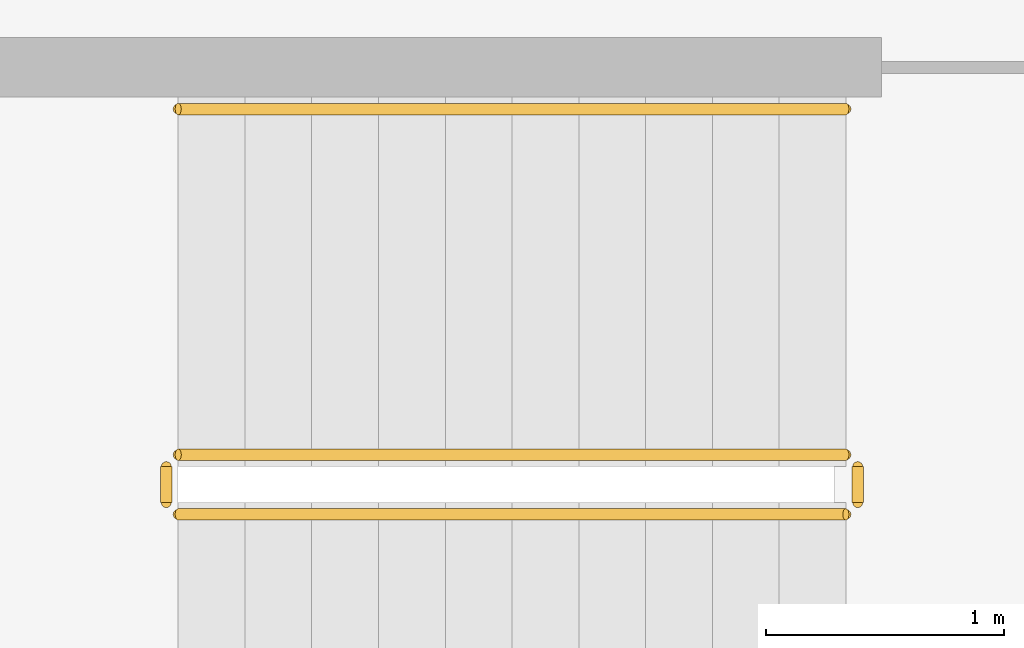
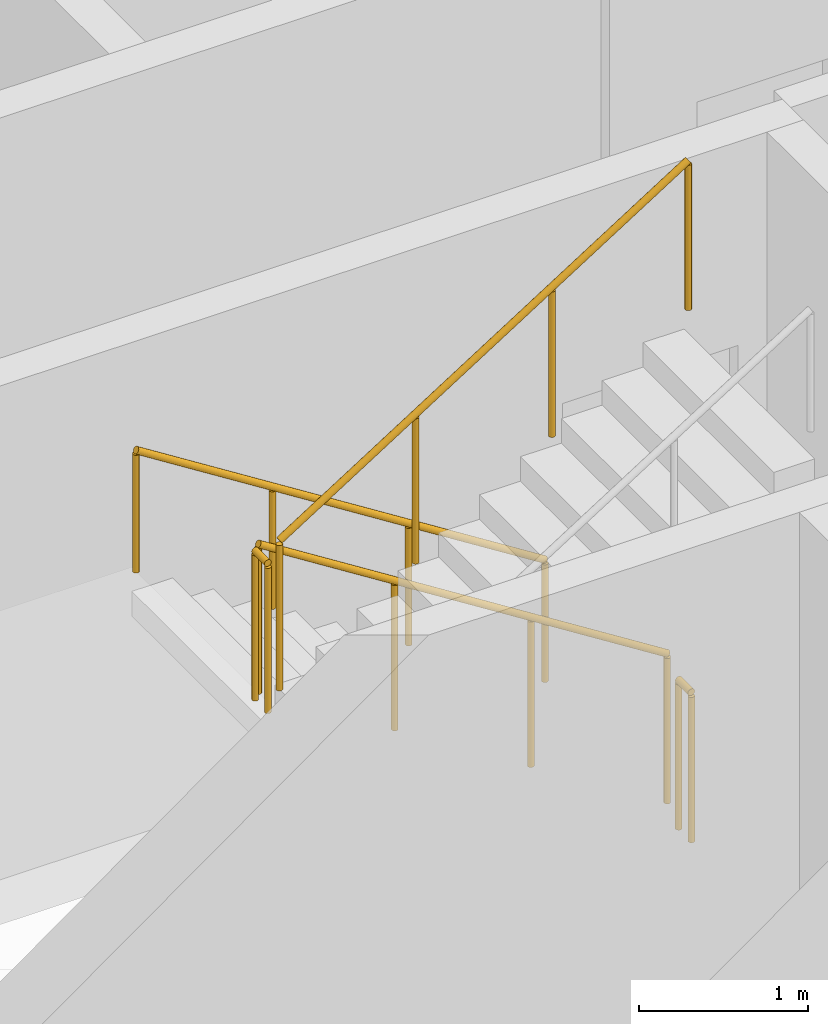
# One storey, part 18 of 24: 5 railings.
"""IFC4 building model written with IfcOpenShell, lengths in metres."""

from ifc_helpers import new_model, si_unit, direction, frame, origin, origin_2d, place, context, subcontext, project, spatial, circle, extrude, material, type_object, element, save


model = new_model("IFC4")

# Units and contexts
model_context = context("Model", 3, precision=1e-05, world=origin(), true_north=direction((0.0, 1.0)))
body_context = subcontext(model_context, "Body", "Model", "MODEL_VIEW")
ifc_project = project(units=[si_unit("LENGTHUNIT", "METRE"), si_unit("AREAUNIT", "SQUARE_METRE"), si_unit("VOLUMEUNIT", "CUBIC_METRE"), si_unit("PLANEANGLEUNIT", "RADIAN"), si_unit("MASSUNIT", "GRAM", prefix="KILO")], contexts=[model_context])

# Site, building, storey
site_placement = place(None, origin())
site = spatial("IfcSite", under=ifc_project, at=site_placement, CompositionType="ELEMENT")
building_placement = place(site_placement, origin())
building = spatial("IfcBuilding", under=site, at=building_placement, Name="Dhurran Vertical Campus", CompositionType="ELEMENT")
storey_placement = place(building_placement, frame((0.0, 0.0, 132.60009765625)))
storey = spatial("IfcBuildingStorey", under=building, at=storey_placement, Name="L32", CompositionType="ELEMENT", Elevation=132.60009765625)

# Railings
ifc_material_1 = material(Name="Stainless steel balustrade", Category="steel")
railing_type_1 = type_object("IfcRailingType", Name="co-RL-GUARD-1100", PredefinedType="GUARDRAIL", material=ifc_material_1)
railing_1_placement = place(storey_placement, frame((11.10009765625, -8.89990234375, 0.17724609375)))
element("IfcRailing", 1, at=railing_1_placement, inside=storey, type_object=railing_type_1, Name="L32 ST4 stair guard 1", PredefinedType="GUARDRAIL", context=body_context, shape_type="SweptSolid", body=[
    extrude(circle(Radius=0.02392578125, at=origin_2d()), frame((0.0, 0.0, 1.076171875), z_axis=(-0.844908973607, 0.0, 0.534910110503), x_axis=(0.0, -1.0, 0.0)), (0.0, 0.0, 1.0), 3.31396484375),
    extrude(circle(Radius=0.02099609375, at=origin_2d()), origin(), (0.0, 0.0, 1.0), 1.052001953125),
    extrude(circle(Radius=0.02099609375, at=origin_2d()), frame((-0.933349609375, 0.0, 0.5908203125)), (0.0, 0.0, 1.0), 1.052001953125),
    extrude(circle(Radius=0.02099609375, at=origin_2d()), frame((-1.86669921875, 0.0, 1.181884765625)), (0.0, 0.0, 1.0), 1.052001953125),
    extrude(circle(Radius=0.02099609375, at=origin_2d()), frame((-2.800048828125, 0.0, 1.772705078125)), (0.0, 0.0, 1.0), 1.052001953125),
])
railing_2_placement = place(storey_placement, frame((8.25, -8.949951171875, 1.949951171875)))
element("IfcRailing", 2, at=railing_2_placement, inside=storey, type_object=railing_type_1, Name="L32 ST4 stair guard 2", PredefinedType="GUARDRAIL", context=body_context, shape_type="SweptSolid", body=[
    extrude(circle(Radius=0.02392578125, at=origin_2d()), frame((0.0, 0.0, 1.076171875), z_axis=(0.0, -1.0, 0.0), x_axis=(1.0, 0.0, 0.0)), (0.0, 0.0, 1.0), 0.150146484375),
    extrude(circle(Radius=0.02099609375, at=origin_2d()), origin(), (0.0, 0.0, 1.0), 1.052001953125),
    extrude(circle(Radius=0.02099609375, at=origin_2d()), frame((0.0, -0.150146484375, 0.0)), (0.0, 0.0, 1.0), 1.052001953125),
])
railing_3_placement = place(storey_placement, frame((8.300048828125, -9.14990234375, 2.127197265625)))
element("IfcRailing", 3, at=railing_3_placement, inside=storey, type_object=railing_type_1, Name="L32 ST4 stair guard 3", PredefinedType="GUARDRAIL", context=body_context, shape_type="SweptSolid", body=[
    extrude(circle(Radius=0.02392578125, at=origin_2d()), frame((0.0, 0.0, 1.076171875), z_axis=(0.844908973607, 0.0, 0.534910110503), x_axis=(0.0, 1.0, 0.0)), (0.0, 0.0, 1.0), 3.31396484375),
    extrude(circle(Radius=0.02099609375, at=origin_2d()), origin(), (0.0, 0.0, 1.0), 1.052001953125),
    extrude(circle(Radius=0.02099609375, at=origin_2d()), frame((0.933349609375, 0.0, 0.5908203125)), (0.0, 0.0, 1.0), 1.052001953125),
    extrude(circle(Radius=0.02099609375, at=origin_2d()), frame((1.86669921875, 0.0, 1.181884765625)), (0.0, 0.0, 1.0), 1.052001953125),
    extrude(circle(Radius=0.02099609375, at=origin_2d()), frame((2.800048828125, 0.0, 1.772705078125)), (0.0, 0.0, 1.0), 1.052001953125),
])
railing_4_placement = place(storey_placement, frame((11.14990234375, -8.949951171875, 0.0)))
element("IfcRailing", 4, at=railing_4_placement, inside=storey, type_object=railing_type_1, Name="L32 ST4 stair guard 4", PredefinedType="GUARDRAIL", context=body_context, shape_type="SweptSolid", body=[
    extrude(circle(Radius=0.02392578125, at=origin_2d()), frame((0.0, 0.0, 1.076171875), z_axis=(0.0, -1.0, 0.0), x_axis=(1.0, 0.0, 0.0)), (0.0, 0.0, 1.0), 0.150146484375),
    extrude(circle(Radius=0.02099609375, at=origin_2d()), origin(), (0.0, 0.0, 1.0), 1.052001953125),
    extrude(circle(Radius=0.02099609375, at=origin_2d()), frame((0.0, -0.150146484375, 0.0)), (0.0, 0.0, 1.0), 1.052001953125),
])
ifc_material_2 = material(Name="Stainless steel handrail", Category="steel")
railing_type_2 = type_object("IfcRailingType", Name="co-RL-HANDRAIL-900", PredefinedType="HANDRAIL", material=ifc_material_2)
railing_5_placement = place(storey_placement, frame((11.10009765625, -7.449951171875, 0.17724609375)))
element("IfcRailing", 5, at=railing_5_placement, inside=storey, type_object=railing_type_2, Name="L32 ST4 stair handrail 1", PredefinedType="HANDRAIL", context=body_context, shape_type="SweptSolid", body=[
    extrude(circle(Radius=0.02392578125, at=origin_2d()), frame((0.0, 0.0, 0.8759765625), z_axis=(-0.844908973607, 0.0, 0.534910110503), x_axis=(0.0, -1.0, 0.0)), (0.0, 0.0, 1.0), 3.31396484375),
    extrude(circle(Radius=0.02099609375, at=origin_2d()), origin(), (0.0, 0.0, 1.0), 0.851806640625),
    extrude(circle(Radius=0.02099609375, at=origin_2d()), frame((-0.933349609375, 0.0, 0.5908203125)), (0.0, 0.0, 1.0), 0.851806640625),
    extrude(circle(Radius=0.02099609375, at=origin_2d()), frame((-1.86669921875, 0.0, 1.181884765625)), (0.0, 0.0, 1.0), 0.851806640625),
    extrude(circle(Radius=0.02099609375, at=origin_2d()), frame((-2.800048828125, 0.0, 1.772705078125)), (0.0, 0.0, 1.0), 0.851806640625),
])

save(model, "model.ifc")
